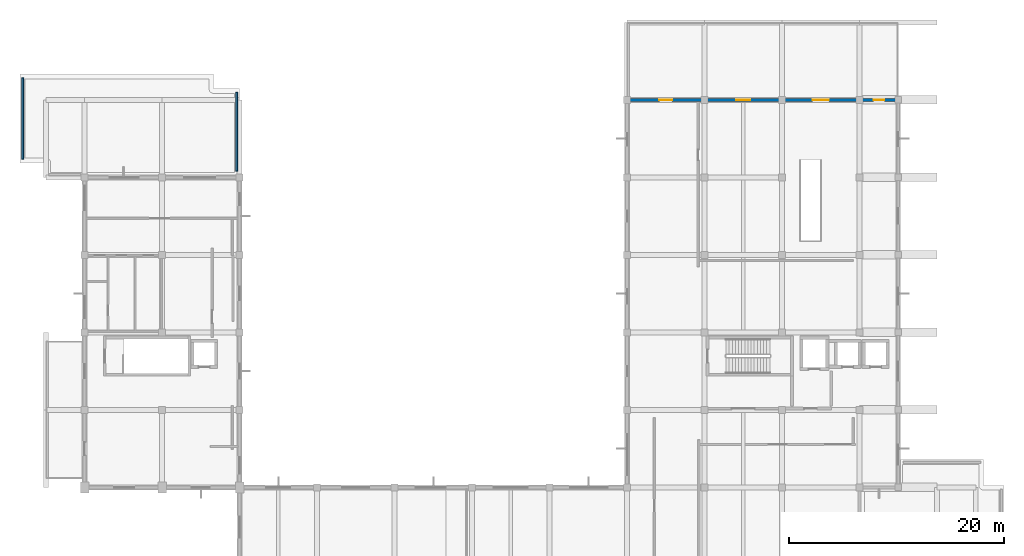
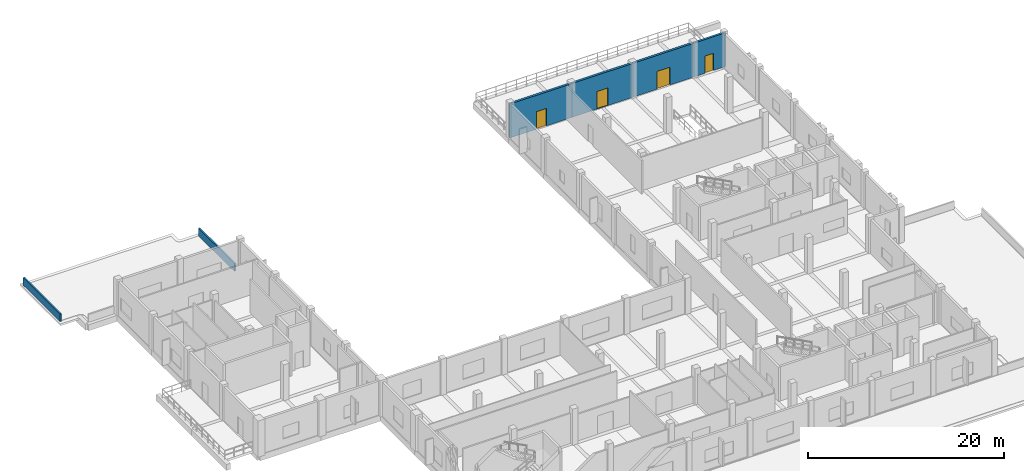
# One storey, part 9 of 16: 6 walls, 4 doors, 4 openings.
"""IFC4 building model written with IfcOpenShell, lengths in metres."""

from ifc_helpers import new_model, si_unit, direction, frame, frame_2d, origin, place, context, subcontext, project, spatial, rectangle, extrude, material, layer, layer_set, type_object, element, fill, save


model = new_model("IFC4")

# Units and contexts
model_context = context("Model", 3, precision=1e-05, world=origin(), true_north=direction((0.0, 1.0)))
body_context = subcontext(model_context, "Body", "Model", "MODEL_VIEW")
ifc_project = project(units=[si_unit("LENGTHUNIT", "METRE"), si_unit("AREAUNIT", "SQUARE_METRE"), si_unit("VOLUMEUNIT", "CUBIC_METRE"), si_unit("PLANEANGLEUNIT", "RADIAN"), si_unit("MASSUNIT", "GRAM", prefix="KILO")], contexts=[model_context])

# Site, building, storey
site_placement = place(None, origin())
site = spatial("IfcSite", under=ifc_project, at=site_placement, CompositionType="ELEMENT")
building_placement = place(site_placement, origin())
building = spatial("IfcBuilding", under=site, at=building_placement, Name="Seraya Terrace Polytechnic", CompositionType="ELEMENT")
storey_placement = place(building_placement, frame((0.0, 0.0, 23.39990234375)))
storey = spatial("IfcBuildingStorey", under=building, at=storey_placement, Name="L05", CompositionType="ELEMENT", Elevation=23.39990234375)

# Wall, opening, door
ifc_material_1 = material(Name="Precast concrete C40/50", Category="concrete")
ifc_layer_1 = layer(ifc_material_1, 0.260009765625, Name="EW-03")
ifc_layer_set_1 = layer_set([ifc_layer_1], Name="Precast concrete C40/50")
wall_type_1 = type_object("IfcWallType", Name="EW-03", PredefinedType="SOLIDWALL", material=ifc_layer_set_1)
wall_1_placement = place(storey_placement, frame((79.050048828125, 64.800048828125, 0.0), z_axis=(0.0, 0.0, 1.0), x_axis=(1.0, 0.0, 0.0)))
wall_1 = element("IfcWall", 1, at=wall_1_placement, inside=storey, type_object=wall_type_1, Name="Exterior structural wall EW-03 L05", PredefinedType="SOLIDWALL", context=body_context, shape_type="SweptSolid", body=[
    extrude(rectangle(XDim=7.349853515625, YDim=0.260009765625, at=frame_2d((3.6748046875, 0.0))), origin(), (0.0, 0.0, 1.0), 4.22021484375),
])
opening_1_placement = place(wall_1_placement, frame((3.159912109375, 0.0, 0.0)))
opening_1 = element("IfcOpeningElement", 2, at=opening_1_placement, cuts=wall_1, Name="Opening TD-02", PredefinedType="OPENING", context=body_context, shape_type="SweptSolid", body=[
    extrude(rectangle(XDim=1.179931640625, YDim=2.179931640625, at=frame_2d((0.58984375, 1.08984375))), frame((0.0, 0.14208984375, 0.0), z_axis=(0.0, -1.0, 0.0), x_axis=(1.0, 0.0, 0.0)), (0.0, 0.0, 1.0), 0.283935546875),
])
ifc_material_2 = material(Name="Anodised aluminium EN AW-6063 T6", Category="aluminium")
door_type_1 = type_object("IfcDoorType", Name="TD-02", OperationType="NOTDEFINED", PredefinedType="DOOR", material=ifc_material_2)
door_1_placement = place(opening_1_placement, origin())
door_1 = element("IfcDoor", 3, at=door_1_placement, inside=storey, type_object=door_type_1, Name="Door TD-02 DR-TERR-L05-04-00 in WL-EXT-L05-04-00", OperationType="SINGLE_SWING_LEFT", OverallHeight=2.179931640625, OverallWidth=1.179931640625, PredefinedType="DOOR", context=body_context, shape_type="SweptSolid", body=[
    extrude(rectangle(XDim=1.179931640625, YDim=2.179931640625, at=frame_2d((0.58984375, 1.08984375))), frame((0.0, 0.02490234375, 0.0), z_axis=(0.0, -1.0, 0.0), x_axis=(1.0, 0.0, 0.0)), (0.0, 0.0, 1.0), 0.050048828125),
])
fill(opening_1, door_1)

wall_2_placement = place(storey_placement, frame((86.39990234375, 64.800048828125, 0.0), z_axis=(0.0, 0.0, 1.0), x_axis=(1.0, 0.0, 0.0)))
wall_2 = element("IfcWall", 4, at=wall_2_placement, inside=storey, type_object=wall_type_1, Name="Exterior structural wall EW-03 L05", PredefinedType="SOLIDWALL", context=body_context, shape_type="SweptSolid", body=[
    extrude(rectangle(XDim=7.2001953125, YDim=0.260009765625, at=frame_2d((3.60009765625, 0.0))), origin(), (0.0, 0.0, 1.0), 4.22021484375),
])
opening_2_placement = place(wall_2_placement, frame((2.93994140625, 0.0, 0.0)))
opening_2 = element("IfcOpeningElement", 5, at=opening_2_placement, cuts=wall_2, Name="Opening TD-03", PredefinedType="OPENING", context=body_context, shape_type="SweptSolid", body=[
    extrude(rectangle(XDim=1.320068359375, YDim=2.199951171875, at=frame_2d((0.66015625, 1.10009765625))), frame((0.0, 0.14208984375, 0.0), z_axis=(0.0, -1.0, 0.0), x_axis=(1.0, 0.0, 0.0)), (0.0, 0.0, 1.0), 0.283935546875),
])
door_type_2 = type_object("IfcDoorType", Name="TD-03", OperationType="NOTDEFINED", PredefinedType="DOOR", material=ifc_material_2)
door_2_placement = place(opening_2_placement, origin())
door_2 = element("IfcDoor", 6, at=door_2_placement, inside=storey, type_object=door_type_2, Name="Door TD-03 DR-TERR-L05-04-01 in WL-EXT-L05-04-01", OperationType="SINGLE_SWING_RIGHT", OverallHeight=2.199951171875, OverallWidth=1.320068359375, PredefinedType="DOOR", context=body_context, shape_type="SweptSolid", body=[
    extrude(rectangle(XDim=1.320068359375, YDim=2.199951171875, at=frame_2d((0.66015625, 1.10009765625))), frame((0.0, 0.02490234375, 0.0), z_axis=(0.0, -1.0, 0.0), x_axis=(1.0, 0.0, 0.0)), (0.0, 0.0, 1.0), 0.050048828125),
])
fill(opening_2, door_2)

wall_3_placement = place(storey_placement, frame((93.60009765625, 64.800048828125, 0.0), z_axis=(0.0, 0.0, 1.0), x_axis=(1.0, 0.0, 0.0)))
wall_3 = element("IfcWall", 7, at=wall_3_placement, inside=storey, type_object=wall_type_1, Name="Exterior structural wall EW-03 L05", PredefinedType="SOLIDWALL", context=body_context, shape_type="SweptSolid", body=[
    extrude(rectangle(XDim=7.199951171875, YDim=0.260009765625, at=frame_2d((3.60009765625, 0.0))), origin(), (0.0, 0.0, 1.0), 4.22021484375),
])
opening_3_placement = place(wall_3_placement, frame((2.840087890625, 0.0, 0.0)))
opening_3 = element("IfcOpeningElement", 8, at=opening_3_placement, cuts=wall_3, Name="Opening TD-04", PredefinedType="OPENING", context=body_context, shape_type="SweptSolid", body=[
    extrude(rectangle(XDim=1.52001953125, YDim=2.219970703125, at=frame_2d((0.760009765625, 1.10986328125))), frame((0.0, 0.14208984375, 0.0), z_axis=(0.0, -1.0, 0.0), x_axis=(1.0, 0.0, 0.0)), (0.0, 0.0, 1.0), 0.283935546875),
])
door_type_3 = type_object("IfcDoorType", Name="TD-04", OperationType="DOUBLE_DOOR_SINGLE_SWING", PredefinedType="DOOR", material=ifc_material_2)
door_3_placement = place(opening_3_placement, origin())
door_3 = element("IfcDoor", 9, at=door_3_placement, inside=storey, type_object=door_type_3, Name="Door TD-04 DR-TERR-L05-04-02 in WL-EXT-L05-04-02", OperationType="DOUBLE_DOOR_SINGLE_SWING", OverallHeight=2.219970703125, OverallWidth=1.52001953125, PredefinedType="DOOR", context=body_context, shape_type="SweptSolid", body=[
    extrude(rectangle(XDim=1.52001953125, YDim=2.219970703125, at=frame_2d((0.760009765625, 1.10986328125))), frame((0.0, 0.02490234375, 0.0), z_axis=(0.0, -1.0, 0.0), x_axis=(1.0, 0.0, 0.0)), (0.0, 0.0, 1.0), 0.050048828125),
])
fill(opening_3, door_3)

wall_4_placement = place(storey_placement, frame((100.800048828125, 64.800048828125, 0.0), z_axis=(0.0, 0.0, 1.0), x_axis=(1.0, 0.0, 0.0)))
wall_4 = element("IfcWall", 10, at=wall_4_placement, inside=storey, type_object=wall_type_1, Name="Exterior structural wall EW-03 L05", PredefinedType="SOLIDWALL", context=body_context, shape_type="SweptSolid", body=[
    extrude(rectangle(XDim=3.75, YDim=0.260009765625, at=frame_2d((1.875, 0.0))), origin(), (0.0, 0.0, 1.0), 4.22021484375),
])
opening_4_placement = place(wall_4_placement, frame((1.300048828125, 0.0, 0.0)))
opening_4 = element("IfcOpeningElement", 11, at=opening_4_placement, cuts=wall_4, Name="Opening TD-01", PredefinedType="OPENING", context=body_context, shape_type="SweptSolid", body=[
    extrude(rectangle(XDim=1.0, YDim=2.14990234375, at=frame_2d((0.5, 1.074951171875))), frame((0.0, 0.14208984375, 0.0), z_axis=(0.0, -1.0, 0.0), x_axis=(1.0, 0.0, 0.0)), (0.0, 0.0, 1.0), 0.283935546875),
])
door_type_4 = type_object("IfcDoorType", Name="TD-01", OperationType="NOTDEFINED", PredefinedType="DOOR", material=ifc_material_2)
door_4_placement = place(opening_4_placement, origin())
door_4 = element("IfcDoor", 12, at=door_4_placement, inside=storey, type_object=door_type_4, Name="Door TD-01 DR-TERR-L05-04-03 in WL-EXT-L05-04-03", OperationType="SINGLE_SWING_RIGHT", OverallHeight=2.14990234375, OverallWidth=1.0, PredefinedType="DOOR", context=body_context, shape_type="SweptSolid", body=[
    extrude(rectangle(XDim=1.0, YDim=2.14990234375, at=frame_2d((0.5, 1.074951171875))), frame((0.0, 0.02490234375, 0.0), z_axis=(0.0, -1.0, 0.0), x_axis=(1.0, 0.0, 0.0)), (0.0, 0.0, 1.0), 0.050048828125),
])
fill(opening_4, door_4)

# Walls
ifc_layer_2 = layer(ifc_material_1, 0.179931640625, Name="PW-P2")
ifc_layer_set_2 = layer_set([ifc_layer_2], Name="Precast concrete C40/50")
wall_type_2 = type_object("IfcWallType", Name="PW-P2", PredefinedType="PARAPET", material=ifc_layer_set_2)
wall_5_placement = place(storey_placement, frame((23.050048828125, 59.303955078125, 0.0), z_axis=(0.0, 0.0, 1.0), x_axis=(0.0, 1.0, 0.0)))
element("IfcWall", 13, at=wall_5_placement, inside=storey, type_object=wall_type_2, Name="Roof parapet ROOF-L05-WEST 6.1", PredefinedType="PARAPET", context=body_context, shape_type="SweptSolid", body=[
    extrude(rectangle(XDim=7.5361328125, YDim=0.179931640625, at=frame_2d((3.76806640625, 0.0))), origin(), (0.0, 0.0, 1.0), 0.9501953125),
])
wall_6_placement = place(storey_placement, frame((42.949951171875, 65.49609375, 0.0), z_axis=(0.0, 0.0, 1.0), x_axis=(0.0, -1.0, 0.0)))
element("IfcWall", 14, at=wall_6_placement, inside=storey, type_object=wall_type_2, Name="Roof parapet ROOF-L05-WEST 13.1", PredefinedType="PARAPET", context=body_context, shape_type="SweptSolid", body=[
    extrude(rectangle(XDim=7.336181640625, YDim=0.179931640625, at=frame_2d((3.66796875, 0.0))), origin(), (0.0, 0.0, 1.0), 0.9501953125),
])

save(model, "model.ifc")
